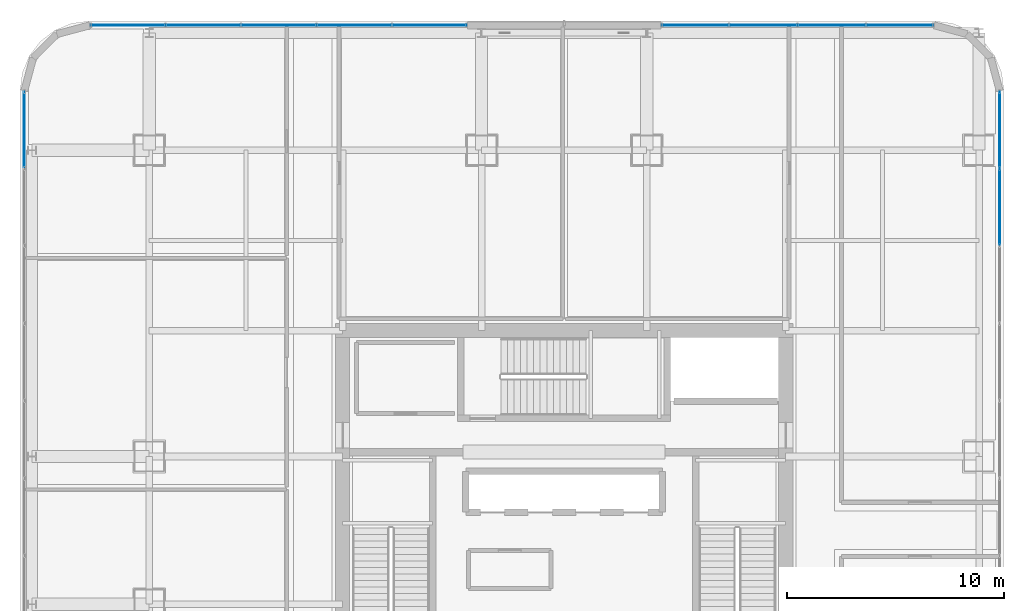
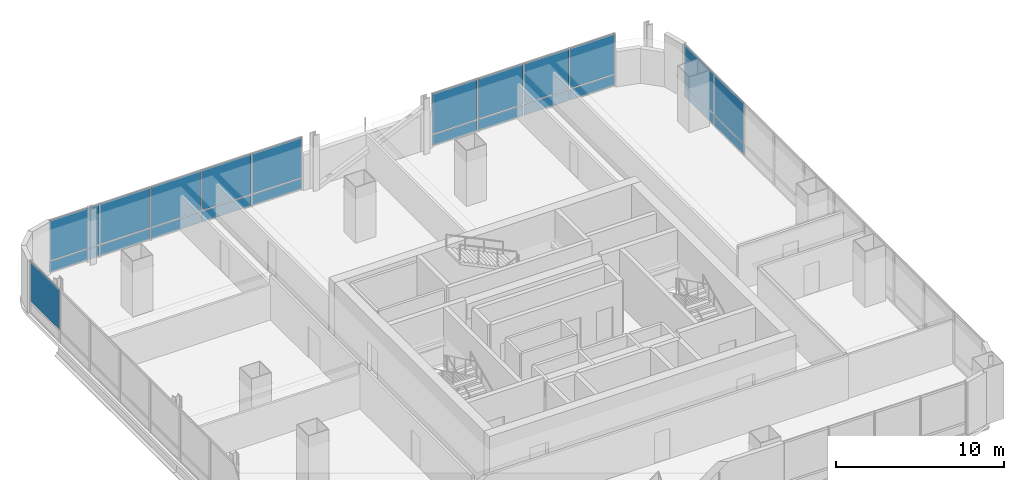
# One storey, part 27 of 38: 23 plates, 4 elements without a shape of their own.
"""IFC4 building model written with IfcOpenShell, lengths in metres."""

from ifc_helpers import new_model, si_unit, direction, frame, origin, origin_2d, place, context, subcontext, project, spatial, rectangle, extrude, material, layer, layer_set, type_object, element, aggregate, save


model = new_model("IFC4")

# Units and contexts
model_context = context("Model", 3, precision=1e-05, world=origin(), true_north=direction((0.0, 1.0)))
body_context = subcontext(model_context, "Body", "Model", "MODEL_VIEW")
ifc_project = project(units=[si_unit("LENGTHUNIT", "METRE"), si_unit("AREAUNIT", "SQUARE_METRE"), si_unit("VOLUMEUNIT", "CUBIC_METRE"), si_unit("PLANEANGLEUNIT", "RADIAN"), si_unit("MASSUNIT", "GRAM", prefix="KILO")], contexts=[model_context])

# Site, building, storey
site_placement = place(None, origin())
site = spatial("IfcSite", under=ifc_project, at=site_placement, CompositionType="ELEMENT")
building_placement = place(site_placement, origin())
building = spatial("IfcBuilding", under=site, at=building_placement, Name="Punatoya Terracotta Tower", CompositionType="ELEMENT")
storey_placement = place(building_placement, frame((0.0, 0.0, 156.0)))
storey = spatial("IfcBuildingStorey", under=building, at=storey_placement, Name="L36", CompositionType="ELEMENT", Elevation=156.0)

# Curtain wall, plates
ifc_material_1 = material(Name="Aluminium 6063-T6 + Double Low-E Glass", Category="aluminium")
curtain_wall_type = type_object("IfcCurtainWallType", Name="CW-M2", PredefinedType="NOTDEFINED", material=ifc_material_1)
curtain_wall_1_placement = place(storey_placement, origin())
curtain_wall_1 = element("IfcCurtainWall", 1, at=curtain_wall_1_placement, inside=storey, type_object=curtain_wall_type, Name="L36 Curtain Wall CW-L36-E05-1", PredefinedType="NOTDEFINED")
ifc_material_2 = material(Name="Double Low-E Acoustic Vision Glass", Category="glass")
ifc_layer_1 = layer(ifc_material_2, 0.031982421875)
ifc_layer_set_1 = layer_set([ifc_layer_1], Name="Double Low-E Acoustic Vision Glass")
plate_type_1 = type_object("IfcPlateType", Name="PLT-GLZ-32", PredefinedType="CURTAIN_PANEL", material=ifc_layer_set_1)
plate_1_placement = place(storey_placement, frame((20.050048828125, 14.8857421875, 0.89013671875), z_axis=(0.0, 0.0, 1.0), x_axis=(0.0, 1.0, 0.0)))
plate_1 = element("IfcPlate", 2, at=plate_1_placement, type_object=plate_type_1, Name="CW-L36-E05-1 Vision Glass Panel 9", PredefinedType="CURTAIN_PANEL", context=body_context, shape_type="SweptSolid", body=[
    extrude(rectangle(XDim=3.482421875, YDim=0.031982421875, at=origin_2d()), origin(), (0.0, 0.0, 1.0), 2.89990234375),
])
plate_2_placement = place(storey_placement, frame((20.050048828125, 18.453125, 0.89013671875), z_axis=(0.0, 0.0, 1.0), x_axis=(0.0, 1.0, 0.0)))
plate_2 = element("IfcPlate", 3, at=plate_2_placement, type_object=plate_type_1, Name="CW-L36-E05-1 Vision Glass Panel 10", PredefinedType="CURTAIN_PANEL", context=body_context, shape_type="SweptSolid", body=[
    extrude(rectangle(XDim=3.482421875, YDim=0.031982421875, at=origin_2d()), origin(), (0.0, 0.0, 1.0), 2.89990234375),
])

curtain_wall_2_placement = place(storey_placement, origin())
curtain_wall_2 = element("IfcCurtainWall", 4, at=curtain_wall_2_placement, inside=storey, type_object=curtain_wall_type, Name="L36 Curtain Wall CW-L36-N09-1", PredefinedType="NOTDEFINED")
plate_3_placement = place(storey_placement, frame((15.46337890625, 23.25, 0.89013671875), z_axis=(0.0, 0.0, 1.0), x_axis=(-1.0, 0.0, 0.0)))
plate_3 = element("IfcPlate", 5, at=plate_3_placement, type_object=plate_type_1, Name="CW-L36-N09-1 Vision Glass Panel 1", PredefinedType="CURTAIN_PANEL", context=body_context, shape_type="SweptSolid", body=[
    extrude(rectangle(XDim=3.061767578125, YDim=0.031982421875, at=origin_2d()), origin(), (0.0, 0.0, 1.0), 2.89990234375),
])
plate_4_placement = place(storey_placement, frame((12.31689453125, 23.25, 0.89013671875), z_axis=(0.0, 0.0, 1.0), x_axis=(-1.0, 0.0, 0.0)))
plate_4 = element("IfcPlate", 6, at=plate_4_placement, type_object=plate_type_1, Name="CW-L36-N09-1 Vision Glass Panel 2", PredefinedType="CURTAIN_PANEL", context=body_context, shape_type="SweptSolid", body=[
    extrude(rectangle(XDim=3.061767578125, YDim=0.031982421875, at=origin_2d()), origin(), (0.0, 0.0, 1.0), 2.89990234375),
])
plate_5_placement = place(storey_placement, frame((9.170166015625, 23.25, 0.89013671875), z_axis=(0.0, 0.0, 1.0), x_axis=(-1.0, 0.0, 0.0)))
plate_5 = element("IfcPlate", 7, at=plate_5_placement, type_object=plate_type_1, Name="CW-L36-N09-1 Vision Glass Panel 3", PredefinedType="CURTAIN_PANEL", context=body_context, shape_type="SweptSolid", body=[
    extrude(rectangle(XDim=3.061767578125, YDim=0.031982421875, at=origin_2d()), origin(), (0.0, 0.0, 1.0), 2.89990234375),
])
plate_6_placement = place(storey_placement, frame((6.0234375, 23.25, 0.89013671875), z_axis=(0.0, 0.0, 1.0), x_axis=(-1.0, 0.0, 0.0)))
plate_6 = element("IfcPlate", 8, at=plate_6_placement, type_object=plate_type_1, Name="CW-L36-N09-1 Vision Glass Panel 4", PredefinedType="CURTAIN_PANEL", context=body_context, shape_type="SweptSolid", body=[
    extrude(rectangle(XDim=3.061767578125, YDim=0.031982421875, at=origin_2d()), origin(), (0.0, 0.0, 1.0), 2.89990234375),
])

curtain_wall_3_placement = place(storey_placement, origin())
curtain_wall_3 = element("IfcCurtainWall", 9, at=curtain_wall_3_placement, inside=storey, type_object=curtain_wall_type, Name="L36 Curtain Wall CW-L36-N09-2", PredefinedType="NOTDEFINED")
plate_7_placement = place(storey_placement, frame((-6.188720703125, 23.25, 0.89013671875), z_axis=(0.0, 0.0, 1.0), x_axis=(-1.0, 0.0, 0.0)))
plate_7 = element("IfcPlate", 10, at=plate_7_placement, type_object=plate_type_1, Name="CW-L36-N09-2 Vision Glass Panel 1", PredefinedType="CURTAIN_PANEL", context=body_context, shape_type="SweptSolid", body=[
    extrude(rectangle(XDim=3.392333984375, YDim=0.031982421875, at=origin_2d()), origin(), (0.0, 0.0, 1.0), 2.89990234375),
])
plate_8_placement = place(storey_placement, frame((-9.666015625, 23.25, 0.89013671875), z_axis=(0.0, 0.0, 1.0), x_axis=(-1.0, 0.0, 0.0)))
plate_8 = element("IfcPlate", 11, at=plate_8_placement, type_object=plate_type_1, Name="CW-L36-N09-2 Vision Glass Panel 2", PredefinedType="CURTAIN_PANEL", context=body_context, shape_type="SweptSolid", body=[
    extrude(rectangle(XDim=3.392333984375, YDim=0.031982421875, at=origin_2d()), origin(), (0.0, 0.0, 1.0), 2.89990234375),
])
plate_9_placement = place(storey_placement, frame((-13.1435546875, 23.25, 0.89013671875), z_axis=(0.0, 0.0, 1.0), x_axis=(-1.0, 0.0, 0.0)))
plate_9 = element("IfcPlate", 12, at=plate_9_placement, type_object=plate_type_1, Name="CW-L36-N09-2 Vision Glass Panel 3", PredefinedType="CURTAIN_PANEL", context=body_context, shape_type="SweptSolid", body=[
    extrude(rectangle(XDim=3.392333984375, YDim=0.031982421875, at=origin_2d()), origin(), (0.0, 0.0, 1.0), 2.89990234375),
])
plate_10_placement = place(storey_placement, frame((-16.620849609375, 23.25, 0.89013671875), z_axis=(0.0, 0.0, 1.0), x_axis=(-1.0, 0.0, 0.0)))
plate_10 = element("IfcPlate", 13, at=plate_10_placement, type_object=plate_type_1, Name="CW-L36-N09-2 Vision Glass Panel 4", PredefinedType="CURTAIN_PANEL", context=body_context, shape_type="SweptSolid", body=[
    extrude(rectangle(XDim=3.392333984375, YDim=0.031982421875, at=origin_2d()), origin(), (0.0, 0.0, 1.0), 2.89990234375),
])
plate_11_placement = place(storey_placement, frame((-20.09814453125, 23.25, 0.89013671875), z_axis=(0.0, 0.0, 1.0), x_axis=(-1.0, 0.0, 0.0)))
plate_11 = element("IfcPlate", 14, at=plate_11_placement, type_object=plate_type_1, Name="CW-L36-N09-2 Vision Glass Panel 5", PredefinedType="CURTAIN_PANEL", context=body_context, shape_type="SweptSolid", body=[
    extrude(rectangle(XDim=3.392333984375, YDim=0.031982421875, at=origin_2d()), origin(), (0.0, 0.0, 1.0), 2.89990234375),
])

# Curtain wall, plate
curtain_wall_4_placement = place(storey_placement, origin())
curtain_wall_4 = element("IfcCurtainWall", 15, at=curtain_wall_4_placement, inside=storey, type_object=curtain_wall_type, Name="L36 Curtain Wall CW-L36-W13-1", PredefinedType="NOTDEFINED")
plate_12_placement = place(storey_placement, frame((-24.85009765625, 18.453125, 0.89013671875), z_axis=(0.0, 0.0, 1.0), x_axis=(0.0, -1.0, 0.0)))
plate_12 = element("IfcPlate", 16, at=plate_12_placement, type_object=plate_type_1, Name="CW-L36-W13-1 Vision Glass Panel 1", PredefinedType="CURTAIN_PANEL", context=body_context, shape_type="SweptSolid", body=[
    extrude(rectangle(XDim=3.482421875, YDim=0.031982421875, at=origin_2d()), origin(), (0.0, 0.0, 1.0), 2.89990234375),
])
aggregate(curtain_wall_4, [plate_12])

# Plate
ifc_material_3 = material(Name="Insulated Terracotta-Backed Spandrel Panel", Category="masonry")
ifc_layer_2 = layer(ifc_material_3, 0.044921875)
ifc_layer_set_2 = layer_set([ifc_layer_2], Name="Insulated Terracotta-Backed Spandrel Panel")
plate_type_2 = type_object("IfcPlateType", Name="PLT-SPN-45", PredefinedType="CURTAIN_PANEL", material=ifc_layer_set_2)
plate_13_placement = place(storey_placement, frame((20.050048828125, 14.8857421875, 0.0400390625), z_axis=(0.0, 0.0, 1.0), x_axis=(0.0, 1.0, 0.0)))
plate_13 = element("IfcPlate", 17, at=plate_13_placement, type_object=plate_type_2, Name="CW-L36-E05-1 Terracotta Spandrel Panel 9", PredefinedType="CURTAIN_PANEL", context=body_context, shape_type="SweptSolid", body=[
    extrude(rectangle(XDim=3.482421875, YDim=0.044921875, at=origin_2d()), origin(), (0.0, 0.0, 1.0), 0.77490234375),
])

plate_14_placement = place(storey_placement, frame((20.050048828125, 18.453125, 0.0400390625), z_axis=(0.0, 0.0, 1.0), x_axis=(0.0, 1.0, 0.0)))
plate_14 = element("IfcPlate", 18, at=plate_14_placement, type_object=plate_type_2, Name="CW-L36-E05-1 Terracotta Spandrel Panel 10", PredefinedType="CURTAIN_PANEL", context=body_context, shape_type="SweptSolid", body=[
    extrude(rectangle(XDim=3.482421875, YDim=0.044921875, at=origin_2d()), origin(), (0.0, 0.0, 1.0), 0.77490234375),
])

aggregate(curtain_wall_1, [plate_13, plate_1, plate_14, plate_2])

plate_15_placement = place(storey_placement, frame((15.46337890625, 23.25, 0.0400390625), z_axis=(0.0, 0.0, 1.0), x_axis=(-1.0, 0.0, 0.0)))
plate_15 = element("IfcPlate", 19, at=plate_15_placement, type_object=plate_type_2, Name="CW-L36-N09-1 Terracotta Spandrel Panel 1", PredefinedType="CURTAIN_PANEL", context=body_context, shape_type="SweptSolid", body=[
    extrude(rectangle(XDim=3.061767578125, YDim=0.044921875, at=origin_2d()), origin(), (0.0, 0.0, 1.0), 0.77490234375),
])

plate_16_placement = place(storey_placement, frame((12.31689453125, 23.25, 0.0400390625), z_axis=(0.0, 0.0, 1.0), x_axis=(-1.0, 0.0, 0.0)))
plate_16 = element("IfcPlate", 20, at=plate_16_placement, type_object=plate_type_2, Name="CW-L36-N09-1 Terracotta Spandrel Panel 2", PredefinedType="CURTAIN_PANEL", context=body_context, shape_type="SweptSolid", body=[
    extrude(rectangle(XDim=3.061767578125, YDim=0.044921875, at=origin_2d()), origin(), (0.0, 0.0, 1.0), 0.77490234375),
])

plate_17_placement = place(storey_placement, frame((9.170166015625, 23.25, 0.0400390625), z_axis=(0.0, 0.0, 1.0), x_axis=(-1.0, 0.0, 0.0)))
plate_17 = element("IfcPlate", 21, at=plate_17_placement, type_object=plate_type_2, Name="CW-L36-N09-1 Terracotta Spandrel Panel 3", PredefinedType="CURTAIN_PANEL", context=body_context, shape_type="SweptSolid", body=[
    extrude(rectangle(XDim=3.061767578125, YDim=0.044921875, at=origin_2d()), origin(), (0.0, 0.0, 1.0), 0.77490234375),
])

plate_18_placement = place(storey_placement, frame((6.0234375, 23.25, 0.0400390625), z_axis=(0.0, 0.0, 1.0), x_axis=(-1.0, 0.0, 0.0)))
plate_18 = element("IfcPlate", 22, at=plate_18_placement, type_object=plate_type_2, Name="CW-L36-N09-1 Terracotta Spandrel Panel 4", PredefinedType="CURTAIN_PANEL", context=body_context, shape_type="SweptSolid", body=[
    extrude(rectangle(XDim=3.061767578125, YDim=0.044921875, at=origin_2d()), origin(), (0.0, 0.0, 1.0), 0.77490234375),
])

aggregate(curtain_wall_2, [plate_15, plate_3, plate_16, plate_4, plate_17, plate_5, plate_18, plate_6])

plate_19_placement = place(storey_placement, frame((-6.188720703125, 23.25, 0.0400390625), z_axis=(0.0, 0.0, 1.0), x_axis=(-1.0, 0.0, 0.0)))
plate_19 = element("IfcPlate", 23, at=plate_19_placement, type_object=plate_type_2, Name="CW-L36-N09-2 Terracotta Spandrel Panel 1", PredefinedType="CURTAIN_PANEL", context=body_context, shape_type="SweptSolid", body=[
    extrude(rectangle(XDim=3.392333984375, YDim=0.044921875, at=origin_2d()), origin(), (0.0, 0.0, 1.0), 0.77490234375),
])

plate_20_placement = place(storey_placement, frame((-9.666015625, 23.25, 0.0400390625), z_axis=(0.0, 0.0, 1.0), x_axis=(-1.0, 0.0, 0.0)))
plate_20 = element("IfcPlate", 24, at=plate_20_placement, type_object=plate_type_2, Name="CW-L36-N09-2 Terracotta Spandrel Panel 2", PredefinedType="CURTAIN_PANEL", context=body_context, shape_type="SweptSolid", body=[
    extrude(rectangle(XDim=3.392333984375, YDim=0.044921875, at=origin_2d()), origin(), (0.0, 0.0, 1.0), 0.77490234375),
])

plate_21_placement = place(storey_placement, frame((-13.1435546875, 23.25, 0.0400390625), z_axis=(0.0, 0.0, 1.0), x_axis=(-1.0, 0.0, 0.0)))
plate_21 = element("IfcPlate", 25, at=plate_21_placement, type_object=plate_type_2, Name="CW-L36-N09-2 Terracotta Spandrel Panel 3", PredefinedType="CURTAIN_PANEL", context=body_context, shape_type="SweptSolid", body=[
    extrude(rectangle(XDim=3.392333984375, YDim=0.044921875, at=origin_2d()), origin(), (0.0, 0.0, 1.0), 0.77490234375),
])

plate_22_placement = place(storey_placement, frame((-16.620849609375, 23.25, 0.0400390625), z_axis=(0.0, 0.0, 1.0), x_axis=(-1.0, 0.0, 0.0)))
plate_22 = element("IfcPlate", 26, at=plate_22_placement, type_object=plate_type_2, Name="CW-L36-N09-2 Terracotta Spandrel Panel 4", PredefinedType="CURTAIN_PANEL", context=body_context, shape_type="SweptSolid", body=[
    extrude(rectangle(XDim=3.392333984375, YDim=0.044921875, at=origin_2d()), origin(), (0.0, 0.0, 1.0), 0.77490234375),
])

plate_23_placement = place(storey_placement, frame((-20.09814453125, 23.25, 0.0400390625), z_axis=(0.0, 0.0, 1.0), x_axis=(-1.0, 0.0, 0.0)))
plate_23 = element("IfcPlate", 27, at=plate_23_placement, type_object=plate_type_2, Name="CW-L36-N09-2 Terracotta Spandrel Panel 5", PredefinedType="CURTAIN_PANEL", context=body_context, shape_type="SweptSolid", body=[
    extrude(rectangle(XDim=3.392333984375, YDim=0.044921875, at=origin_2d()), origin(), (0.0, 0.0, 1.0), 0.77490234375),
])

aggregate(curtain_wall_3, [plate_19, plate_7, plate_20, plate_8, plate_21, plate_9, plate_22, plate_10, plate_23, plate_11])

save(model, "model.ifc")
